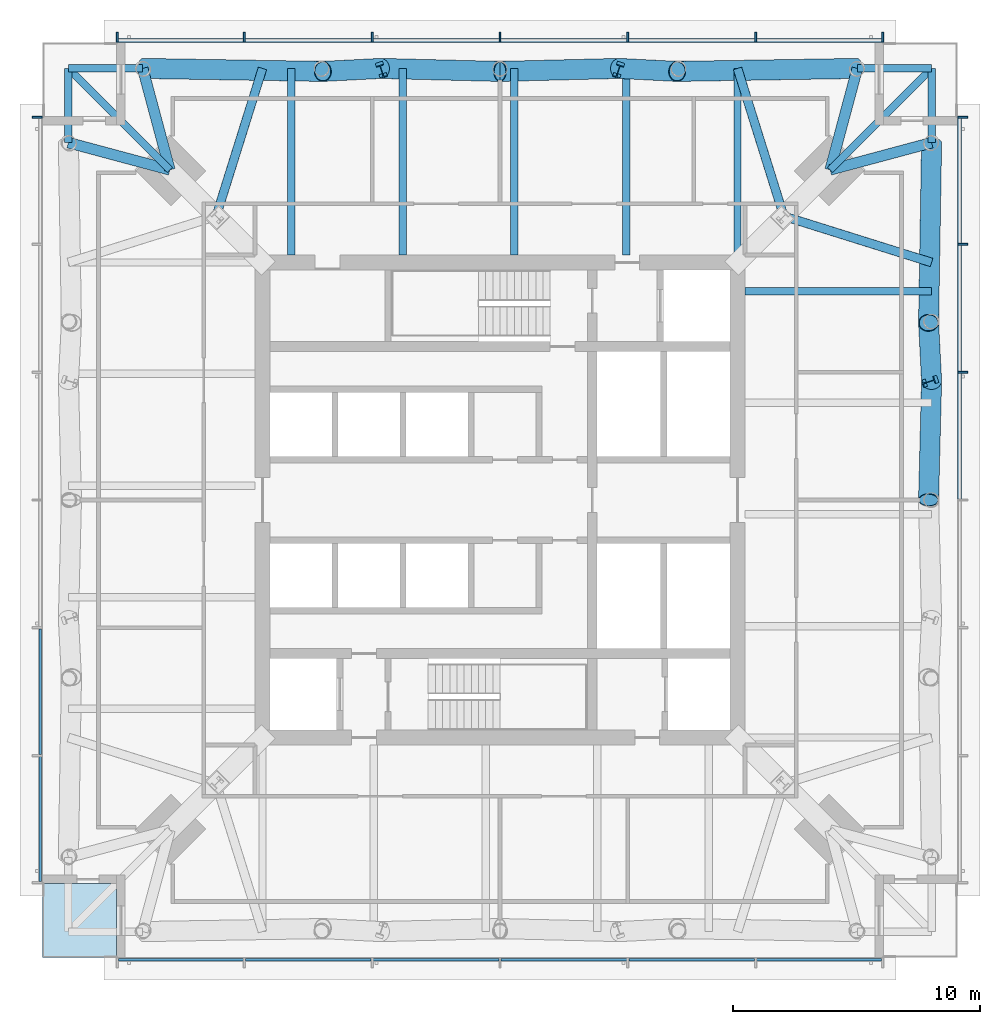
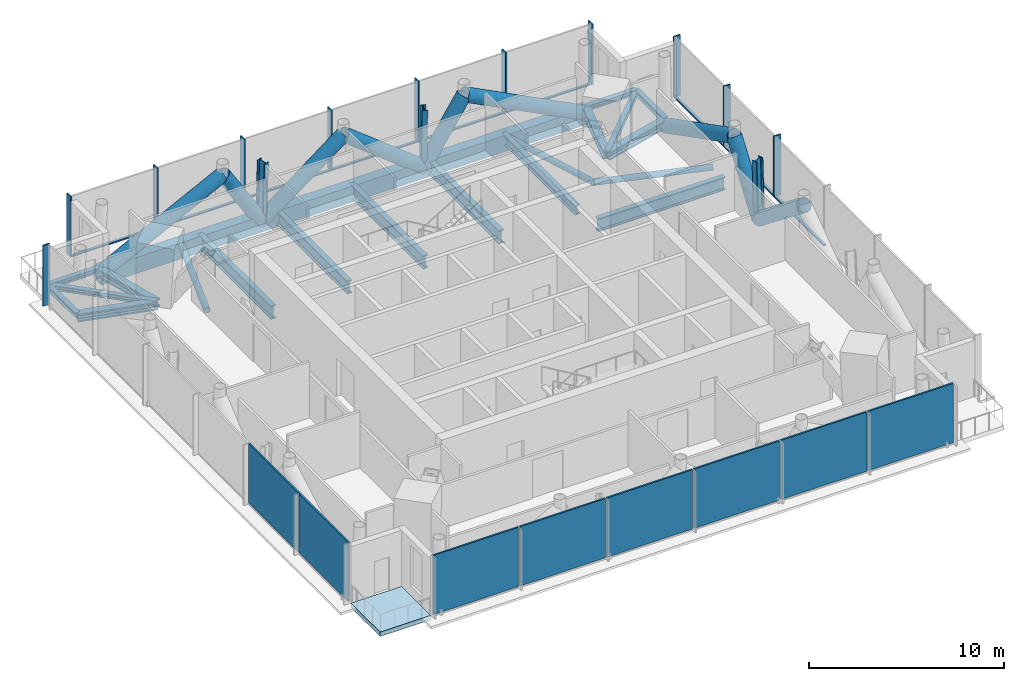
# One storey, part 3 of 10: 36 members, 16 beams, 8 plates, 1 slab, 4 elements without a shape of their own.
"""IFC4 building model written with IfcOpenShell, lengths in metres."""

from ifc_helpers import new_model, si_unit, direction, frame, origin, origin_2d, place, context, subcontext, project, spatial, polyline, rectangle, hollow_rectangle, hollow_circle, i_section, outline, extrude, material, layer, layer_set, material_profile, profile_set, type_object, element, aggregate, save


model = new_model("IFC4")

# Units and contexts
model_context = context("Model", 3, precision=1e-05, world=origin(), true_north=direction((0.0, 1.0)))
body_context = subcontext(model_context, "Body", "Model", "MODEL_VIEW")
ifc_project = project(units=[si_unit("LENGTHUNIT", "METRE"), si_unit("AREAUNIT", "SQUARE_METRE"), si_unit("VOLUMEUNIT", "CUBIC_METRE"), si_unit("PLANEANGLEUNIT", "RADIAN"), si_unit("MASSUNIT", "GRAM", prefix="KILO")], contexts=[model_context])

# Site, building, storey
site_placement = place(None, origin())
site = spatial("IfcSite", under=ifc_project, at=site_placement, CompositionType="ELEMENT")
building_placement = place(site_placement, origin())
building = spatial("IfcBuilding", under=site, at=building_placement, Name="Ostroluk Exchange", CompositionType="ELEMENT")
storey_placement = place(building_placement, frame((0.0, 0.0, 226.199951171875)))
storey = spatial("IfcBuildingStorey", under=building, at=storey_placement, Name="L58", CompositionType="ELEMENT", Elevation=226.199951171875)

# Beams
ifc_material_1 = material(Name="Steel S355", Category="steel")
ifc_material_profile_1 = material_profile(ifc_material_1, i_section(OverallWidth=0.300048828125, OverallDepth=0.300048828125, WebThickness=0.010986328125, FlangeThickness=0.01904296875, FilletRadius=0.027099609375, at=origin_2d()), Name="HEB 300")
ifc_profile_set_1 = profile_set([ifc_material_profile_1], Name="Steel S355")
beam_type_1 = type_object("IfcBeamType", Name="Balcony beam HEB 300", PredefinedType="BEAM", material=ifc_profile_set_1)
for number, where, z_axis, x_axis, name in (
    (1, (62.44287109375, 60.44287109375, -0.429931640625), (0.0, 1.0, 0.0), (-1.0, 0.0, 0.0), "T1 east balcony beam a"),
    (2, (59.44287109375, 63.44287109375, -0.429931640625), (1.0, 0.0, 0.0), (0.0, 1.0, 0.0), "T1 east balcony beam b"),
):
    element("IfcBeam", number, at=place(storey_placement, frame(where, z_axis=z_axis, x_axis=x_axis)), inside=storey, type_object=beam_type_1, Name=name, PredefinedType="BEAM", context=body_context, shape_type="SweptSolid", body=[
        extrude(i_section(OverallWidth=0.300048828125, OverallDepth=0.300048828125, WebThickness=0.010986328125, FlangeThickness=0.01904296875, FilletRadius=0.027099609375, at=origin_2d()), origin(), (0.0, 0.0, 1.0), 3.0),
    ])
beam_1_placement = place(storey_placement, frame((58.3427734375, 59.3427734375, -0.429931640625), z_axis=(0.707106781187, 0.707106781187, 0.0), x_axis=(-0.707106781187, 0.707106781187, 0.0)))
element("IfcBeam", 3, at=beam_1_placement, inside=storey, type_object=beam_type_1, Name="T1 east balcony beam c", PredefinedType="BEAM", context=body_context, shape_type="SweptSolid", body=[
    extrude(i_section(OverallWidth=0.300048828125, OverallDepth=0.300048828125, WebThickness=0.010986328125, FlangeThickness=0.01904296875, FilletRadius=0.027099609375, at=origin_2d()), origin(), (0.0, 0.0, 1.0), 5.79833984375),
])
for number, where, z_axis, x_axis, name in (
    (4, (30.55712890625, 63.44287109375, -0.429931640625), (-1.0, 0.0, 0.0), (0.0, -1.0, 0.0), "T1 north balcony beam a"),
    (5, (27.55712890625, 60.44287109375, -0.429931640625), (0.0, 1.0, 0.0), (-1.0, 0.0, 0.0), "T1 north balcony beam b"),
):
    element("IfcBeam", number, at=place(storey_placement, frame(where, z_axis=z_axis, x_axis=x_axis)), inside=storey, type_object=beam_type_1, Name=name, PredefinedType="BEAM", context=body_context, shape_type="SweptSolid", body=[
        extrude(i_section(OverallWidth=0.300048828125, OverallDepth=0.300048828125, WebThickness=0.010986328125, FlangeThickness=0.01904296875, FilletRadius=0.027099609375, at=origin_2d()), origin(), (0.0, 0.0, 1.0), 3.0),
    ])
beam_2_placement = place(storey_placement, frame((31.6572265625, 59.3427734375, -0.429931640625), z_axis=(-0.707106781187, 0.707106781187, 0.0), x_axis=(-0.707106781187, -0.707106781187, 0.0)))
element("IfcBeam", 6, at=beam_2_placement, inside=storey, type_object=beam_type_1, Name="T1 north balcony beam c", PredefinedType="BEAM", context=body_context, shape_type="SweptSolid", body=[
    extrude(i_section(OverallWidth=0.300048828125, OverallDepth=0.300048828125, WebThickness=0.010986328125, FlangeThickness=0.01904296875, FilletRadius=0.027099609375, at=origin_2d()), origin(), (0.0, 0.0, 1.0), 5.79833984375),
])

# Members
ifc_material_2 = material(Name="Steel S460", Category="steel")
ifc_material_profile_2 = material_profile(ifc_material_2, hollow_rectangle(XDim=0.60009765625, YDim=1.0, WallThickness=0.06005859375, at=origin_2d()), Name="BOX 600x1000x60")
ifc_profile_set_2 = profile_set([ifc_material_profile_2], Name="Steel S460")
member_type_1 = type_object("IfcMemberType", Name="Belt truss chord BOX 600x1000x60", PredefinedType="CHORD", material=ifc_profile_set_2)
member_1_placement = place(storey_placement, frame((59.44287109375, 63.44287109375, -0.780029296875), z_axis=(-1.0, 0.0, 0.0), x_axis=(0.0, -1.0, 0.0)))
element("IfcMember", 7, at=member_1_placement, inside=storey, type_object=member_type_1, Name="Belt truss 3 north chord 1", PredefinedType="CHORD", context=body_context, shape_type="SweptSolid", body=[
    extrude(hollow_rectangle(XDim=0.60009765625, YDim=1.0, WallThickness=0.06005859375, at=origin_2d()), origin(), (0.0, 0.0, 1.0), 28.8857421875),
])
ifc_material_3 = material(Name="Steel S460", Category="steel")
ifc_material_profile_3 = material_profile(ifc_material_3, hollow_circle(Radius=0.406494140625, WallThickness=0.030029296875, at=origin_2d()), Name="CHS 813x30")
ifc_profile_set_3 = profile_set([ifc_material_profile_3], Name="Steel S460")
member_type_2 = type_object("IfcMemberType", Name="Belt truss diagonal CHS 813x30", PredefinedType="BRACE", material=ifc_profile_set_3)
member_2_placement = place(storey_placement, frame((62.44287109375, 50.814208984375, -0.780029296875), z_axis=(-0.019779691311, -0.784780146817, 0.619458541772), x_axis=(0.999682527469, -0.025196116241, 0.0)))
element("IfcMember", 8, at=member_2_placement, inside=storey, type_object=member_type_2, Name="Belt truss 3 east diagonal 1.4", PredefinedType="BRACE", context=body_context, shape_type="SweptSolid", body=[
    extrude(hollow_circle(Radius=0.406494140625, WallThickness=0.030029296875, at=origin_2d()), origin(), (0.0, 0.0, 1.0), 6.134521484375),
])
member_3_placement = place(storey_placement, frame((62.44287109375, 50.814208984375, -0.780029296875), z_axis=(-0.027158569087, 0.525193174027, 0.850549552984), x_axis=(-0.99866563179, -0.051642578192, 0.0)))
element("IfcMember", 9, at=member_3_placement, inside=storey, type_object=member_type_2, Name="Belt truss 3 east diagonal 1.5", PredefinedType="BRACE", context=body_context, shape_type="SweptSolid", body=[
    extrude(hollow_circle(Radius=0.406494140625, WallThickness=0.030029296875, at=origin_2d()), origin(), (0.0, 0.0, 1.0), 4.4677734375),
])
for number, where, z_axis, x_axis, name in (
    (10, (62.44287109375, 60.44287109375, -0.780029296875), (-0.014770318551, -0.886456864653, 0.462575469301), (0.9998612145, -0.016659884123, 0.0), "Belt truss 3 east diagonal 1.6"),
    (11, (59.44287109375, 63.44287109375, -0.780029296875), (-0.886456864653, -0.014770318551, 0.462575469301), (0.016659884123, -0.9998612145, 0.0), "Belt truss 3 north diagonal 1.1"),
):
    element("IfcMember", number, at=place(storey_placement, frame(where, z_axis=z_axis, x_axis=x_axis)), inside=storey, type_object=member_type_2, Name=name, PredefinedType="BRACE", context=body_context, shape_type="SweptSolid", body=[
        extrude(hollow_circle(Radius=0.406494140625, WallThickness=0.030029296875, at=origin_2d()), origin(), (0.0, 0.0, 1.0), 8.215087890625),
    ])
member_4_placement = place(storey_placement, frame((49.814208984375, 63.44287109375, -0.780029296875), z_axis=(0.525193174027, -0.027158569087, 0.850549552984), x_axis=(0.051642578192, 0.99866563179, 0.0)))
element("IfcMember", 12, at=member_4_placement, inside=storey, type_object=member_type_2, Name="Belt truss 3 north diagonal 1.2", PredefinedType="BRACE", context=body_context, shape_type="SweptSolid", body=[
    extrude(hollow_circle(Radius=0.406494140625, WallThickness=0.030029296875, at=origin_2d()), origin(), (0.0, 0.0, 1.0), 4.4677734375),
])
for number, where, z_axis, x_axis, name in (
    (13, (49.814208984375, 63.44287109375, -0.780029296875), (-0.784780146817, -0.019779691311, 0.619458541772), (0.025196116241, -0.999682527469, 0.0), "Belt truss 3 north diagonal 1.3"),
    (14, (40.185791015625, 63.44287109375, -0.780029296875), (0.784780146817, -0.019779691311, 0.619458541772), (0.025196116241, 0.999682527469, 0.0), "Belt truss 3 north diagonal 1.4"),
):
    element("IfcMember", number, at=place(storey_placement, frame(where, z_axis=z_axis, x_axis=x_axis)), inside=storey, type_object=member_type_2, Name=name, PredefinedType="BRACE", context=body_context, shape_type="SweptSolid", body=[
        extrude(hollow_circle(Radius=0.406494140625, WallThickness=0.030029296875, at=origin_2d()), origin(), (0.0, 0.0, 1.0), 6.134521484375),
    ])
member_5_placement = place(storey_placement, frame((40.185791015625, 63.44287109375, -0.780029296875), z_axis=(-0.525193174027, -0.027158569087, 0.850549552984), x_axis=(0.051642578192, -0.99866563179, 0.0)))
element("IfcMember", 15, at=member_5_placement, inside=storey, type_object=member_type_2, Name="Belt truss 3 north diagonal 1.5", PredefinedType="BRACE", context=body_context, shape_type="SweptSolid", body=[
    extrude(hollow_circle(Radius=0.406494140625, WallThickness=0.030029296875, at=origin_2d()), origin(), (0.0, 0.0, 1.0), 4.4677734375),
])
member_6_placement = place(storey_placement, frame((30.55712890625, 63.44287109375, -0.780029296875), z_axis=(0.886456864653, -0.014770318551, 0.462575469301), x_axis=(0.016659884123, 0.9998612145, 0.0)))
element("IfcMember", 16, at=member_6_placement, inside=storey, type_object=member_type_2, Name="Belt truss 3 north diagonal 1.6", PredefinedType="BRACE", context=body_context, shape_type="SweptSolid", body=[
    extrude(hollow_circle(Radius=0.406494140625, WallThickness=0.030029296875, at=origin_2d()), origin(), (0.0, 0.0, 1.0), 8.215087890625),
])
ifc_material_4 = material(Name="Steel S460", Category="steel")
ifc_material_profile_4 = material_profile(ifc_material_4, i_section(OverallWidth=0.305908203125, OverallDepth=0.52392578125, WebThickness=0.02099609375, FlangeThickness=0.0400390625, FilletRadius=0.027099609375, at=origin_2d()), Name="HEM 500")
ifc_profile_set_4 = profile_set([ifc_material_profile_4], Name="Steel S460")
member_type_3 = type_object("IfcMemberType", Name="Belt truss post HEM 500", PredefinedType="POST", material=ifc_profile_set_4)
for number, where, z_axis, x_axis, name in (
    (17, (62.44287109375, 50.814208984375, -0.780029296875), (-0.031912557129, -0.010594712125, 0.999434510497), (0.315081783451, -0.949064523485, 0.0), "Belt truss 3 east post 1.4"),
    (18, (49.814208984375, 63.44287109375, -0.780029296875), (-0.010594712125, -0.031912557129, 0.999434510497), (0.949064523485, -0.315081783451, 0.0), "Belt truss 3 north post 1.2"),
    (19, (40.185791015625, 63.44287109375, -0.780029296875), (0.010594712125, -0.031912557129, 0.999434510497), (0.949064523485, 0.315081783451, 0.0), "Belt truss 3 north post 1.4"),
):
    element("IfcMember", number, at=place(storey_placement, frame(where, z_axis=z_axis, x_axis=x_axis)), inside=storey, type_object=member_type_3, Name=name, PredefinedType="POST", context=body_context, shape_type="SweptSolid", body=[
        extrude(i_section(OverallWidth=0.305908203125, OverallDepth=0.52392578125, WebThickness=0.02099609375, FlangeThickness=0.0400390625, FilletRadius=0.027099609375, at=origin_2d()), origin(), (0.0, 0.0, 1.0), 3.80224609375),
    ])

# Beams
ifc_material_5 = material(Name="Steel S460", Category="steel")
ifc_material_profile_5 = material_profile(ifc_material_5, i_section(OverallWidth=0.431884765625, OverallDepth=0.498046875, WebThickness=0.0556640625, FlangeThickness=0.0888671875, FilletRadius=0.014892578125, at=origin_2d()), Name="HD 400x744")
ifc_profile_set_5 = profile_set([ifc_material_profile_5], Name="Steel S460")
beam_type_2 = type_object("IfcBeamType", Name="Corner edge beam HD 400x744", PredefinedType="SPANDREL", material=ifc_profile_set_5)
for number, where, z_axis, x_axis, name in (
    (20, (58.3427734375, 59.3427734375, -0.529052734375), (0.965838624319, 0.259144268261, 0.0), (-0.259144268261, 0.965838624319, 0.0), "T1 east corner edge beam a"),
    (21, (58.3427734375, 59.3427734375, -0.529052734375), (0.259144268261, 0.965838624319, 0.0), (-0.965838624319, 0.259144268261, 0.0), "T1 east corner edge beam b"),
    (22, (31.6572265625, 59.3427734375, -0.529052734375), (-0.259144268261, 0.965838624319, 0.0), (-0.965838624319, -0.259144268261, 0.0), "T1 north corner edge beam a"),
    (23, (31.6572265625, 59.3427734375, -0.529052734375), (-0.965838624319, 0.259144268261, 0.0), (-0.259144268261, -0.965838624319, 0.0), "T1 north corner edge beam b"),
):
    element("IfcBeam", number, at=place(storey_placement, frame(where, z_axis=z_axis, x_axis=x_axis)), inside=storey, type_object=beam_type_2, Name=name, PredefinedType="SPANDREL", context=body_context, shape_type="SweptSolid", body=[
        extrude(i_section(OverallWidth=0.431884765625, OverallDepth=0.498046875, WebThickness=0.0556640625, FlangeThickness=0.0888671875, FilletRadius=0.014892578125, at=origin_2d()), origin(), (0.0, 0.0, 1.0), 4.2451171875),
    ])
ifc_material_6 = material(Name="Steel S355", Category="steel")
ifc_material_profile_6 = material_profile(ifc_material_6, i_section(OverallWidth=0.302978515625, OverallDepth=0.81396484375, WebThickness=0.02099609375, FlangeThickness=0.0400390625, FilletRadius=0.030029296875, at=origin_2d()), Name="HEM 800")
ifc_profile_set_6 = profile_set([ifc_material_profile_6], Name="Steel S355")
beam_type_3 = type_object("IfcBeamType", Name="Floor beam HEM 800", PredefinedType="BEAM", material=ifc_profile_set_6)
for number, where, z_axis, x_axis, name in (
    (24, (54.89990234375, 54.428466796875, -0.68701171875), (1.0, 0.0, 0.0), (0.0, 1.0, 0.0), "T1 east floor beam 4"),
    (25, (50.0927734375, 55.89990234375, -0.68701171875), (0.0, 1.0, 0.0), (-1.0, 0.0, 0.0), "T1 north floor beam 1"),
    (26, (45.585693359375, 55.89990234375, -0.68701171875), (0.0, 1.0, 0.0), (-1.0, 0.0, 0.0), "T1 north floor beam 2"),
    (27, (41.07861328125, 55.89990234375, -0.68701171875), (0.0, 1.0, 0.0), (-1.0, 0.0, 0.0), "T1 north floor beam 3"),
    (28, (36.571533203125, 55.89990234375, -0.68701171875), (0.0, 1.0, 0.0), (-1.0, 0.0, 0.0), "T1 north floor beam 4"),
):
    element("IfcBeam", number, at=place(storey_placement, frame(where, z_axis=z_axis, x_axis=x_axis)), inside=storey, type_object=beam_type_3, Name=name, PredefinedType="BEAM", context=body_context, shape_type="SweptSolid", body=[
        extrude(i_section(OverallWidth=0.302978515625, OverallDepth=0.81396484375, WebThickness=0.02099609375, FlangeThickness=0.0400390625, FilletRadius=0.030029296875, at=origin_2d()), origin(), (0.0, 0.0, 1.0), 7.54296875),
    ])
ifc_material_7 = material(Name="Steel S355", Category="steel")
ifc_material_profile_7 = material_profile(ifc_material_7, i_section(OverallWidth=0.300048828125, OverallDepth=0.60009765625, WebThickness=0.015380859375, FlangeThickness=0.030029296875, FilletRadius=0.027099609375, at=origin_2d()), Name="HEB 600")
ifc_profile_set_7 = profile_set([ifc_material_profile_7], Name="Steel S355")
beam_type_4 = type_object("IfcBeamType", Name="Girder HEB 600", PredefinedType="BEAM", material=ifc_profile_set_7)
beam_3_placement = place(storey_placement, frame((54.60009765625, 55.89990234375, -0.579833984375), z_axis=(0.0, 1.0, 0.0), x_axis=(-1.0, 0.0, 0.0)))
element("IfcBeam", 29, at=beam_3_placement, inside=storey, type_object=beam_type_4, Name="T1 east girder", PredefinedType="BEAM", context=body_context, shape_type="SweptSolid", body=[
    extrude(i_section(OverallWidth=0.300048828125, OverallDepth=0.60009765625, WebThickness=0.015380859375, FlangeThickness=0.030029296875, FilletRadius=0.027099609375, at=origin_2d()), origin(), (0.0, 0.0, 1.0), 7.54296875),
])

# Members
ifc_material_8 = material(Name="Steel S460", Category="steel")
ifc_material_profile_8 = material_profile(ifc_material_8, hollow_circle(Radius=0.177734375, WallThickness=0.012451171875, at=origin_2d()), Name="CHS 355.6x12.5")
ifc_profile_set_8 = profile_set([ifc_material_profile_8], Name="Steel S460")
member_type_4 = type_object("IfcMemberType", Name="Plan bracing CHS 355.6x12.5", PredefinedType="BRACE", material=ifc_profile_set_8)
for number, where, z_axis, x_axis, name in (
    (30, (56.471435546875, 57.471435546875, -0.457763671875), (0.954240172412, -0.299041290385, 0.0), (0.299041290385, 0.954240172412, 0.0), "Plan bracing L58 NE a"),
    (31, (56.471435546875, 57.471435546875, -0.457763671875), (-0.299041290385, 0.954240172412, 0.0), (-0.954240172412, -0.299041290385, 0.0), "Plan bracing L58 NE b"),
    (32, (33.528564453125, 57.471435546875, -0.457763671875), (0.299041290385, 0.954240172412, 0.0), (-0.954240172412, 0.299041290385, 0.0), "Plan bracing L58 NW a"),
):
    element("IfcMember", number, at=place(storey_placement, frame(where, z_axis=z_axis, x_axis=x_axis)), inside=storey, type_object=member_type_4, Name=name, PredefinedType="BRACE", context=body_context, shape_type="SweptSolid", body=[
        extrude(hollow_circle(Radius=0.177734375, WallThickness=0.012451171875, at=origin_2d()), origin(), (0.0, 0.0, 1.0), 6.2578125),
    ])

# Curtain wall, members
ifc_material_9 = material(Name="Laminated clear glass", Category="glass")
curtain_wall_type = type_object("IfcCurtainWallType", Name="Office tower plant and sky lobby facade", PredefinedType="USERDEFINED", material=ifc_material_9)
curtain_wall_1_placement = place(storey_placement, origin())
curtain_wall_1 = element("IfcCurtainWall", 33, at=curtain_wall_1_placement, inside=storey, type_object=curtain_wall_type, Name="Office tower east facade L58", ObjectType="LOUVRED CURTAIN WALL", PredefinedType="USERDEFINED")
ifc_material_10 = material(Name="Aluminium mullion", Category="aluminium")
ifc_material_profile_9 = material_profile(ifc_material_10, rectangle(XDim=0.14990234375, YDim=0.080078125, at=origin_2d()), Name="Sill transom 80 x 150")
ifc_profile_set_9 = profile_set([ifc_material_profile_9], Name="Aluminium mullion")
member_type_5 = type_object("IfcMemberType", Name="Sill transom 80 x 150", PredefinedType="USERDEFINED", material=ifc_profile_set_9)
member_7_placement = place(storey_placement, frame((63.574951171875, 46.0400390625, 0.0400390625), z_axis=(0.0, 1.0, 0.0), x_axis=(-1.0, 0.0, 0.0)))
member_7 = element("IfcMember", 34, at=member_7_placement, type_object=member_type_5, Name="CW-P1 transom 4.1", ObjectType="TRANSOM", PredefinedType="USERDEFINED", context=body_context, shape_type="SweptSolid", body=[
    extrude(rectangle(XDim=0.14990234375, YDim=0.080078125, at=origin_2d()), origin(), (0.0, 0.0, 1.0), 5.086669921875),
])
member_8_placement = place(storey_placement, frame((63.574951171875, 51.206787109375, 0.0400390625), z_axis=(0.0, 1.0, 0.0), x_axis=(-1.0, 0.0, 0.0)))
member_8 = element("IfcMember", 35, at=member_8_placement, type_object=member_type_5, Name="CW-P1 transom 5.1", ObjectType="TRANSOM", PredefinedType="USERDEFINED", context=body_context, shape_type="SweptSolid", body=[
    extrude(rectangle(XDim=0.14990234375, YDim=0.080078125, at=origin_2d()), origin(), (0.0, 0.0, 1.0), 5.08642578125),
])
member_9_placement = place(storey_placement, frame((63.574951171875, 56.373291015625, 0.0400390625), z_axis=(0.0, 1.0, 0.0), x_axis=(-1.0, 0.0, 0.0)))
member_9 = element("IfcMember", 36, at=member_9_placement, type_object=member_type_5, Name="CW-P1 transom 6.1", ObjectType="TRANSOM", PredefinedType="USERDEFINED", context=body_context, shape_type="SweptSolid", body=[
    extrude(rectangle(XDim=0.14990234375, YDim=0.080078125, at=origin_2d()), origin(), (0.0, 0.0, 1.0), 5.046630859375),
])

curtain_wall_2_placement = place(storey_placement, origin())
curtain_wall_2 = element("IfcCurtainWall", 37, at=curtain_wall_2_placement, inside=storey, type_object=curtain_wall_type, Name="Office tower north facade L58", ObjectType="LOUVRED CURTAIN WALL", PredefinedType="USERDEFINED")
member_10_placement = place(storey_placement, frame((60.419921875, 64.574951171875, 0.0400390625), z_axis=(-1.0, 0.0, 0.0), x_axis=(0.0, -1.0, 0.0)))
member_10 = element("IfcMember", 38, at=member_10_placement, type_object=member_type_5, Name="CW-P1 transom 1.1", ObjectType="TRANSOM", PredefinedType="USERDEFINED", context=body_context, shape_type="SweptSolid", body=[
    extrude(rectangle(XDim=0.14990234375, YDim=0.080078125, at=origin_2d()), origin(), (0.0, 0.0, 1.0), 5.046630859375),
])
member_11_placement = place(storey_placement, frame((55.293212890625, 64.574951171875, 0.0400390625), z_axis=(-1.0, 0.0, 0.0), x_axis=(0.0, -1.0, 0.0)))
member_11 = element("IfcMember", 39, at=member_11_placement, type_object=member_type_5, Name="CW-P1 transom 2.1", ObjectType="TRANSOM", PredefinedType="USERDEFINED", context=body_context, shape_type="SweptSolid", body=[
    extrude(rectangle(XDim=0.14990234375, YDim=0.080078125, at=origin_2d()), origin(), (0.0, 0.0, 1.0), 5.08642578125),
])
member_12_placement = place(storey_placement, frame((50.126708984375, 64.574951171875, 0.0400390625), z_axis=(-1.0, 0.0, 0.0), x_axis=(0.0, -1.0, 0.0)))
member_12 = element("IfcMember", 40, at=member_12_placement, type_object=member_type_5, Name="CW-P1 transom 3.1", ObjectType="TRANSOM", PredefinedType="USERDEFINED", context=body_context, shape_type="SweptSolid", body=[
    extrude(rectangle(XDim=0.14990234375, YDim=0.080078125, at=origin_2d()), origin(), (0.0, 0.0, 1.0), 5.086669921875),
])
member_13_placement = place(storey_placement, frame((44.9599609375, 64.574951171875, 0.0400390625), z_axis=(-1.0, 0.0, 0.0), x_axis=(0.0, -1.0, 0.0)))
member_13 = element("IfcMember", 41, at=member_13_placement, type_object=member_type_5, Name="CW-P1 transom 4.1", ObjectType="TRANSOM", PredefinedType="USERDEFINED", context=body_context, shape_type="SweptSolid", body=[
    extrude(rectangle(XDim=0.14990234375, YDim=0.080078125, at=origin_2d()), origin(), (0.0, 0.0, 1.0), 5.086669921875),
])
member_14_placement = place(storey_placement, frame((39.793212890625, 64.574951171875, 0.0400390625), z_axis=(-1.0, 0.0, 0.0), x_axis=(0.0, -1.0, 0.0)))
member_14 = element("IfcMember", 42, at=member_14_placement, type_object=member_type_5, Name="CW-P1 transom 5.1", ObjectType="TRANSOM", PredefinedType="USERDEFINED", context=body_context, shape_type="SweptSolid", body=[
    extrude(rectangle(XDim=0.14990234375, YDim=0.080078125, at=origin_2d()), origin(), (0.0, 0.0, 1.0), 5.08642578125),
])
member_15_placement = place(storey_placement, frame((34.626708984375, 64.574951171875, 0.0400390625), z_axis=(-1.0, 0.0, 0.0), x_axis=(0.0, -1.0, 0.0)))
member_15 = element("IfcMember", 43, at=member_15_placement, type_object=member_type_5, Name="CW-P1 transom 6.1", ObjectType="TRANSOM", PredefinedType="USERDEFINED", context=body_context, shape_type="SweptSolid", body=[
    extrude(rectangle(XDim=0.14990234375, YDim=0.080078125, at=origin_2d()), origin(), (0.0, 0.0, 1.0), 5.046630859375),
])

# Member
ifc_material_11 = material(Name="Aluminium mullion with limestone facing", Category="masonry")
ifc_material_profile_10 = material_profile(ifc_material_11, rectangle(XDim=0.39990234375, YDim=0.080078125, at=origin_2d()), Name="Tracery mullion 80 x 400")
ifc_profile_set_10 = profile_set([ifc_material_profile_10], Name="Aluminium mullion with limestone facing")
member_type_6 = type_object("IfcMemberType", Name="Tracery mullion 80 x 400", PredefinedType="MULLION", material=ifc_profile_set_10)
member_16_placement = place(storey_placement, frame((63.699951171875, 51.166748046875, 0.0), z_axis=(0.0, 0.0, 1.0), x_axis=(-1.0, 0.0, 0.0)))
member_16 = element("IfcMember", 44, at=member_16_placement, type_object=member_type_6, Name="CW-P1 mullion 5", PredefinedType="MULLION", context=body_context, shape_type="SweptSolid", body=[
    extrude(rectangle(XDim=0.39990234375, YDim=0.080078125, at=origin_2d()), origin(), (0.0, 0.0, 1.0), 3.800048828125),
])

member_17_placement = place(storey_placement, frame((63.699951171875, 56.333251953125, 0.0), z_axis=(0.0, 0.0, 1.0), x_axis=(-1.0, 0.0, 0.0)))
member_17 = element("IfcMember", 45, at=member_17_placement, type_object=member_type_6, Name="CW-P1 mullion 6", PredefinedType="MULLION", context=body_context, shape_type="SweptSolid", body=[
    extrude(rectangle(XDim=0.39990234375, YDim=0.080078125, at=origin_2d()), origin(), (0.0, 0.0, 1.0), 3.800048828125),
])

member_18_placement = place(storey_placement, frame((63.699951171875, 61.4599609375, 0.0), z_axis=(0.0, 0.0, 1.0), x_axis=(-1.0, 0.0, 0.0)))
member_18 = element("IfcMember", 46, at=member_18_placement, type_object=member_type_6, Name="CW-P1 mullion 7", PredefinedType="MULLION", context=body_context, shape_type="SweptSolid", body=[
    extrude(rectangle(XDim=0.39990234375, YDim=0.080078125, at=origin_2d()), origin(), (0.0, 0.0, 1.0), 3.800048828125),
])

aggregate(curtain_wall_1, [member_16, member_17, member_18, member_7, member_8, member_9])

member_19_placement = place(storey_placement, frame((60.4599609375, 64.699951171875, 0.0), z_axis=(0.0, 0.0, 1.0), x_axis=(0.0, -1.0, 0.0)))
member_19 = element("IfcMember", 47, at=member_19_placement, type_object=member_type_6, Name="CW-P1 mullion 1", PredefinedType="MULLION", context=body_context, shape_type="SweptSolid", body=[
    extrude(rectangle(XDim=0.39990234375, YDim=0.080078125, at=origin_2d()), origin(), (0.0, 0.0, 1.0), 3.800048828125),
])

member_20_placement = place(storey_placement, frame((55.333251953125, 64.699951171875, 0.0), z_axis=(0.0, 0.0, 1.0), x_axis=(0.0, -1.0, 0.0)))
member_20 = element("IfcMember", 48, at=member_20_placement, type_object=member_type_6, Name="CW-P1 mullion 2", PredefinedType="MULLION", context=body_context, shape_type="SweptSolid", body=[
    extrude(rectangle(XDim=0.39990234375, YDim=0.080078125, at=origin_2d()), origin(), (0.0, 0.0, 1.0), 3.800048828125),
])

member_21_placement = place(storey_placement, frame((50.166748046875, 64.699951171875, 0.0), z_axis=(0.0, 0.0, 1.0), x_axis=(0.0, -1.0, 0.0)))
member_21 = element("IfcMember", 49, at=member_21_placement, type_object=member_type_6, Name="CW-P1 mullion 3", PredefinedType="MULLION", context=body_context, shape_type="SweptSolid", body=[
    extrude(rectangle(XDim=0.39990234375, YDim=0.080078125, at=origin_2d()), origin(), (0.0, 0.0, 1.0), 3.800048828125),
])

member_22_placement = place(storey_placement, frame((45.0, 64.699951171875, 0.0), z_axis=(0.0, 0.0, 1.0), x_axis=(0.0, -1.0, 0.0)))
member_22 = element("IfcMember", 50, at=member_22_placement, type_object=member_type_6, Name="CW-P1 mullion 4", PredefinedType="MULLION", context=body_context, shape_type="SweptSolid", body=[
    extrude(rectangle(XDim=0.39990234375, YDim=0.080078125, at=origin_2d()), origin(), (0.0, 0.0, 1.0), 3.800048828125),
])

member_23_placement = place(storey_placement, frame((39.833251953125, 64.699951171875, 0.0), z_axis=(0.0, 0.0, 1.0), x_axis=(0.0, -1.0, 0.0)))
member_23 = element("IfcMember", 51, at=member_23_placement, type_object=member_type_6, Name="CW-P1 mullion 5", PredefinedType="MULLION", context=body_context, shape_type="SweptSolid", body=[
    extrude(rectangle(XDim=0.39990234375, YDim=0.080078125, at=origin_2d()), origin(), (0.0, 0.0, 1.0), 3.800048828125),
])

member_24_placement = place(storey_placement, frame((34.666748046875, 64.699951171875, 0.0), z_axis=(0.0, 0.0, 1.0), x_axis=(0.0, -1.0, 0.0)))
member_24 = element("IfcMember", 52, at=member_24_placement, type_object=member_type_6, Name="CW-P1 mullion 6", PredefinedType="MULLION", context=body_context, shape_type="SweptSolid", body=[
    extrude(rectangle(XDim=0.39990234375, YDim=0.080078125, at=origin_2d()), origin(), (0.0, 0.0, 1.0), 3.800048828125),
])

member_25_placement = place(storey_placement, frame((29.5400390625, 64.699951171875, 0.0), z_axis=(0.0, 0.0, 1.0), x_axis=(0.0, -1.0, 0.0)))
member_25 = element("IfcMember", 53, at=member_25_placement, type_object=member_type_6, Name="CW-P1 mullion 7", PredefinedType="MULLION", context=body_context, shape_type="SweptSolid", body=[
    extrude(rectangle(XDim=0.39990234375, YDim=0.080078125, at=origin_2d()), origin(), (0.0, 0.0, 1.0), 3.800048828125),
])

aggregate(curtain_wall_2, [member_19, member_20, member_21, member_22, member_23, member_24, member_25, member_10, member_11, member_12, member_13, member_14, member_15])

# Curtain wall, member
curtain_wall_3_placement = place(storey_placement, origin())
curtain_wall_3 = element("IfcCurtainWall", 54, at=curtain_wall_3_placement, inside=storey, type_object=curtain_wall_type, Name="Office tower west facade L58", ObjectType="LOUVRED CURTAIN WALL", PredefinedType="USERDEFINED")
member_26_placement = place(storey_placement, frame((26.300048828125, 61.4599609375, 0.0), z_axis=(0.0, 0.0, 1.0), x_axis=(1.0, 0.0, 0.0)))
member_26 = element("IfcMember", 55, at=member_26_placement, type_object=member_type_6, Name="CW-P1 mullion 1", PredefinedType="MULLION", context=body_context, shape_type="SweptSolid", body=[
    extrude(rectangle(XDim=0.39990234375, YDim=0.080078125, at=origin_2d()), origin(), (0.0, 0.0, 1.0), 3.800048828125),
])

# Curtain wall, plates
curtain_wall_4_placement = place(storey_placement, origin())
curtain_wall_4 = element("IfcCurtainWall", 56, at=curtain_wall_4_placement, inside=storey, type_object=curtain_wall_type, Name="Office tower south facade L58", ObjectType="LOUVRED CURTAIN WALL", PredefinedType="USERDEFINED")
ifc_material_12 = material(Name="Aluminium louvre", Category="aluminium")
ifc_layer_1 = layer(ifc_material_12, 0.10009765625)
ifc_layer_set_1 = layer_set([ifc_layer_1], Name="Aluminium louvre panel 100")
plate_type = type_object("IfcPlateType", Name="Aluminium louvre panel 100", PredefinedType="USERDEFINED", material=ifc_layer_set_1)
plate_1_placement = place(storey_placement, frame((32.103271484375, 27.425048828125, 0.080078125), z_axis=(0.0, 0.0, 1.0), x_axis=(1.0, 0.0, 0.0)))
plate_1 = element("IfcPlate", 57, at=plate_1_placement, type_object=plate_type, Name="CW-P1 panel 1.1", ObjectType="LOUVRE PANEL", PredefinedType="USERDEFINED", context=body_context, shape_type="SweptSolid", body=[
    extrude(rectangle(XDim=5.046630859375, YDim=0.10009765625, at=origin_2d()), origin(), (0.0, 0.0, 1.0), 3.719970703125),
])
plate_2_placement = place(storey_placement, frame((37.25, 27.425048828125, 0.080078125), z_axis=(0.0, 0.0, 1.0), x_axis=(1.0, 0.0, 0.0)))
plate_2 = element("IfcPlate", 58, at=plate_2_placement, type_object=plate_type, Name="CW-P1 panel 2.1", ObjectType="LOUVRE PANEL", PredefinedType="USERDEFINED", context=body_context, shape_type="SweptSolid", body=[
    extrude(rectangle(XDim=5.086669921875, YDim=0.10009765625, at=origin_2d()), origin(), (0.0, 0.0, 1.0), 3.719970703125),
])
plate_3_placement = place(storey_placement, frame((42.416748046875, 27.425048828125, 0.080078125), z_axis=(0.0, 0.0, 1.0), x_axis=(1.0, 0.0, 0.0)))
plate_3 = element("IfcPlate", 59, at=plate_3_placement, type_object=plate_type, Name="CW-P1 panel 3.1", ObjectType="LOUVRE PANEL", PredefinedType="USERDEFINED", context=body_context, shape_type="SweptSolid", body=[
    extrude(rectangle(XDim=5.086669921875, YDim=0.10009765625, at=origin_2d()), origin(), (0.0, 0.0, 1.0), 3.719970703125),
])
plate_4_placement = place(storey_placement, frame((47.583251953125, 27.425048828125, 0.080078125), z_axis=(0.0, 0.0, 1.0), x_axis=(1.0, 0.0, 0.0)))
plate_4 = element("IfcPlate", 60, at=plate_4_placement, type_object=plate_type, Name="CW-P1 panel 4.1", ObjectType="LOUVRE PANEL", PredefinedType="USERDEFINED", context=body_context, shape_type="SweptSolid", body=[
    extrude(rectangle(XDim=5.086669921875, YDim=0.10009765625, at=origin_2d()), origin(), (0.0, 0.0, 1.0), 3.719970703125),
])
plate_5_placement = place(storey_placement, frame((52.75, 27.425048828125, 0.080078125), z_axis=(0.0, 0.0, 1.0), x_axis=(1.0, 0.0, 0.0)))
plate_5 = element("IfcPlate", 61, at=plate_5_placement, type_object=plate_type, Name="CW-P1 panel 5.1", ObjectType="LOUVRE PANEL", PredefinedType="USERDEFINED", context=body_context, shape_type="SweptSolid", body=[
    extrude(rectangle(XDim=5.086669921875, YDim=0.10009765625, at=origin_2d()), origin(), (0.0, 0.0, 1.0), 3.719970703125),
])
plate_6_placement = place(storey_placement, frame((57.896728515625, 27.425048828125, 0.080078125), z_axis=(0.0, 0.0, 1.0), x_axis=(1.0, 0.0, 0.0)))
plate_6 = element("IfcPlate", 62, at=plate_6_placement, type_object=plate_type, Name="CW-P1 panel 6.1", ObjectType="LOUVRE PANEL", PredefinedType="USERDEFINED", context=body_context, shape_type="SweptSolid", body=[
    extrude(rectangle(XDim=5.046630859375, YDim=0.10009765625, at=origin_2d()), origin(), (0.0, 0.0, 1.0), 3.719970703125),
])
aggregate(curtain_wall_4, [plate_1, plate_2, plate_3, plate_4, plate_5, plate_6])

# Plate
plate_7_placement = place(storey_placement, frame((26.425048828125, 38.25, 0.080078125), z_axis=(0.0, 0.0, 1.0), x_axis=(0.0, -1.0, 0.0)))
plate_7 = element("IfcPlate", 63, at=plate_7_placement, type_object=plate_type, Name="CW-P1 panel 5.1", ObjectType="LOUVRE PANEL", PredefinedType="USERDEFINED", context=body_context, shape_type="SweptSolid", body=[
    extrude(rectangle(XDim=5.086669921875, YDim=0.10009765625, at=origin_2d()), origin(), (0.0, 0.0, 1.0), 3.719970703125),
])

plate_8_placement = place(storey_placement, frame((26.425048828125, 33.103271484375, 0.080078125), z_axis=(0.0, 0.0, 1.0), x_axis=(0.0, -1.0, 0.0)))
plate_8 = element("IfcPlate", 64, at=plate_8_placement, type_object=plate_type, Name="CW-P1 panel 6.1", ObjectType="LOUVRE PANEL", PredefinedType="USERDEFINED", context=body_context, shape_type="SweptSolid", body=[
    extrude(rectangle(XDim=5.046630859375, YDim=0.10009765625, at=origin_2d()), origin(), (0.0, 0.0, 1.0), 3.719970703125),
])

aggregate(curtain_wall_3, [member_26, plate_7, plate_8])

# Slab
ifc_material_13 = material(Name="Concrete C35/45", Category="concrete")
ifc_layer_2 = layer(ifc_material_13, 0.280029296875)
ifc_layer_set_2 = layer_set([ifc_layer_2], Name="Maintenance platform slab 280")
slab_type = type_object("IfcSlabType", Name="Maintenance platform slab 280", PredefinedType="USERDEFINED", material=ifc_layer_set_2)
slab_placement = place(storey_placement, frame((0.0, 0.0, -0.280029296875)))
element("IfcSlab", 65, at=slab_placement, inside=storey, type_object=slab_type, Name="Office tower SW maintenance platform L58", ObjectType="MAINTENANCE PLATFORM", PredefinedType="USERDEFINED", context=body_context, shape_type="SweptSolid", body=[
    extrude(outline(polyline([(26.5, 27.5), (29.5, 27.5), (29.5, 30.5), (26.5, 30.5), (26.5, 27.5)])), origin(), (0.0, 0.0, 1.0), 0.280029296875),
])

save(model, "model.ifc")
